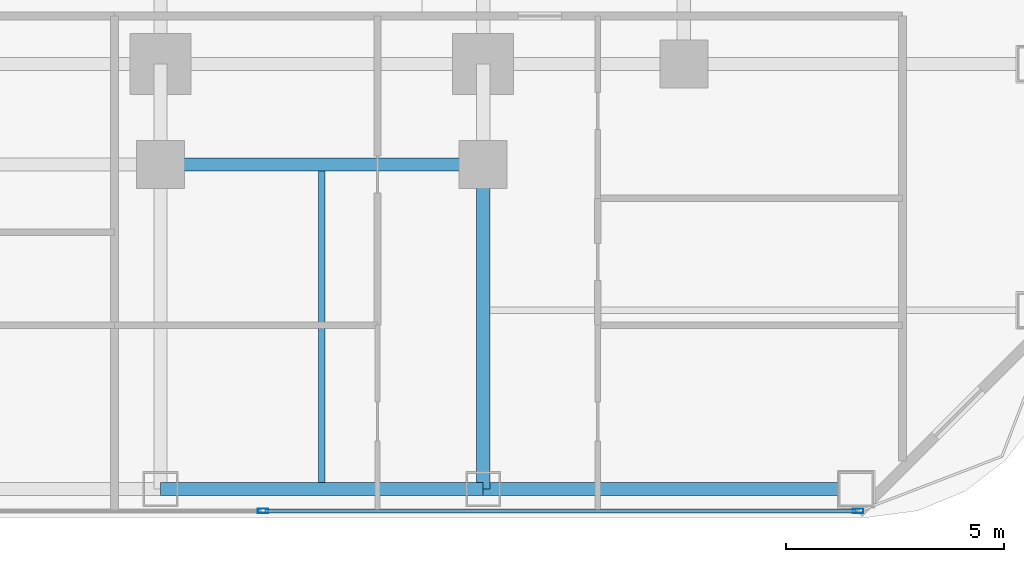
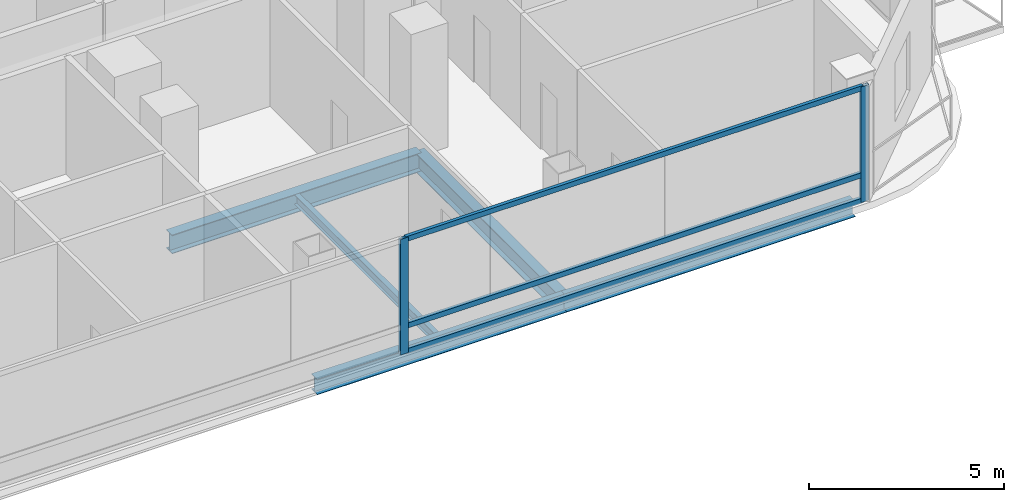
# One storey, part 8 of 27: 5 beams, 5 members, 1 element without a shape of its own.
"""IFC4 building model written with IfcOpenShell, lengths in metres."""

from ifc_helpers import new_model, si_unit, direction, frame, origin, origin_2d, place, context, subcontext, project, spatial, hollow_rectangle, i_section, extrude, material, layer, layer_set, material_profile, profile_set, type_object, element, aggregate, save


model = new_model("IFC4")

# Units and contexts
model_context = context("Model", 3, precision=1e-05, world=origin(), true_north=direction((0.0, 1.0)))
body_context = subcontext(model_context, "Body", "Model", "MODEL_VIEW")
ifc_project = project(units=[si_unit("LENGTHUNIT", "METRE"), si_unit("AREAUNIT", "SQUARE_METRE"), si_unit("VOLUMEUNIT", "CUBIC_METRE"), si_unit("PLANEANGLEUNIT", "RADIAN"), si_unit("MASSUNIT", "GRAM", prefix="KILO")], contexts=[model_context])

# Site, building, storey
site_placement = place(None, origin())
site = spatial("IfcSite", under=ifc_project, at=site_placement, CompositionType="ELEMENT")
building_placement = place(site_placement, origin())
building = spatial("IfcBuilding", under=site, at=building_placement, Name="Khorvyn Point Tower", CompositionType="ELEMENT")
storey_placement = place(building_placement, frame((0.0, 0.0, 50.10009765625)))
storey = spatial("IfcBuildingStorey", under=building, at=storey_placement, Name="L13", CompositionType="ELEMENT", Elevation=50.10009765625)

# Curtain wall, members
ifc_material_1 = material(Name="Anodised aluminium 6063-T6 and laminated Low-E glass", Category="aluminium")
ifc_layer = layer(ifc_material_1, 0.18994140625)
ifc_layer_set = layer_set([ifc_layer], Name="Stick-Built Finned Residential Curtain Wall CW-SYS-02")
curtain_wall_type = type_object("IfcCurtainWallType", Name="Stick-Built Finned Residential Curtain Wall CW-SYS-02", PredefinedType="NOTDEFINED", material=ifc_layer_set)
curtain_wall_placement = place(storey_placement, origin())
curtain_wall = element("IfcCurtainWall", 1, at=curtain_wall_placement, inside=storey, type_object=curtain_wall_type, Name="Curtain Wall", PredefinedType="NOTDEFINED")
ifc_material_2 = material(Name="Anodised aluminium 6063-T6", Category="aluminium")
ifc_material_profile_1 = material_profile(ifc_material_2, hollow_rectangle(XDim=0.10009765625, YDim=0.239990234375, WallThickness=0.0048828125, at=origin_2d()))
ifc_profile_set_1 = profile_set([ifc_material_profile_1], Name="Anodised aluminium 6063-T6 ALU-MUL-100x240")
member_type_1 = type_object("IfcMemberType", Name="Anodised Aluminium 6063-T6 Mullion ALU-MUL-100x240", PredefinedType="MULLION", material=ifc_profile_set_1)
member_1_placement = place(storey_placement, frame((23.39990234375, -25.050048828125, 0.0), z_axis=(0.0, 0.0, 1.0), x_axis=(0.0, -1.0, 0.0)))
member_1 = element("IfcMember", 2, at=member_1_placement, type_object=member_type_1, Name="Transom", PredefinedType="MULLION", context=body_context, shape_type="SweptSolid", body=[
    extrude(hollow_rectangle(XDim=0.10009765625, YDim=0.239990234375, WallThickness=0.0048828125, at=origin_2d()), origin(), (0.0, 0.0, 1.0), 3.619873046875),
])
member_2_placement = place(storey_placement, frame((9.75, -25.050048828125, 0.0), z_axis=(0.0, 0.0, 1.0), x_axis=(0.0, -1.0, 0.0)))
member_2 = element("IfcMember", 3, at=member_2_placement, type_object=member_type_1, Name="Transom", PredefinedType="MULLION", context=body_context, shape_type="SweptSolid", body=[
    extrude(hollow_rectangle(XDim=0.10009765625, YDim=0.239990234375, WallThickness=0.0048828125, at=origin_2d()), origin(), (0.0, 0.0, 1.0), 3.619873046875),
])
ifc_material_profile_2 = material_profile(ifc_material_2, hollow_rectangle(XDim=0.10009765625, YDim=0.159912109375, WallThickness=0.00439453125, at=origin_2d()))
ifc_profile_set_2 = profile_set([ifc_material_profile_2], Name="Anodised aluminium 6063-T6 ALU-TRN-100x160")
member_type_2 = type_object("IfcMemberType", Name="Anodised Aluminium 6063-T6 Transom ALU-TRN-100x160", PredefinedType="USERDEFINED", material=ifc_profile_set_2)
member_3_placement = place(storey_placement, frame((23.35009765625, -25.050048828125, 0.0498046875), z_axis=(-1.0, 0.0, 0.0), x_axis=(0.0, -1.0, 0.0)))
member_3 = element("IfcMember", 4, at=member_3_placement, type_object=member_type_2, Name="Transom", ObjectType="TRANSOM", PredefinedType="USERDEFINED", context=body_context, shape_type="SweptSolid", body=[
    extrude(hollow_rectangle(XDim=0.10009765625, YDim=0.159912109375, WallThickness=0.00439453125, at=origin_2d()), origin(), (0.0, 0.0, 1.0), 13.550048828125),
])
member_4_placement = place(storey_placement, frame((23.35009765625, -25.050048828125, 0.849853515625), z_axis=(-1.0, 0.0, 0.0), x_axis=(0.0, -1.0, 0.0)))
member_4 = element("IfcMember", 5, at=member_4_placement, type_object=member_type_2, Name="Transom", ObjectType="TRANSOM", PredefinedType="USERDEFINED", context=body_context, shape_type="SweptSolid", body=[
    extrude(hollow_rectangle(XDim=0.10009765625, YDim=0.159912109375, WallThickness=0.00439453125, at=origin_2d()), origin(), (0.0, 0.0, 1.0), 13.550048828125),
])
member_5_placement = place(storey_placement, frame((23.35009765625, -25.050048828125, 3.56982421875), z_axis=(-1.0, 0.0, 0.0), x_axis=(0.0, -1.0, 0.0)))
member_5 = element("IfcMember", 6, at=member_5_placement, type_object=member_type_2, Name="Transom", ObjectType="TRANSOM", PredefinedType="USERDEFINED", context=body_context, shape_type="SweptSolid", body=[
    extrude(hollow_rectangle(XDim=0.10009765625, YDim=0.159912109375, WallThickness=0.00439453125, at=origin_2d()), origin(), (0.0, 0.0, 1.0), 13.550048828125),
])
aggregate(curtain_wall, [member_1, member_2, member_3, member_4, member_5])

# Beams
ifc_material_3 = material(Name="Steel S355", Category="steel")
ifc_material_profile_3 = material_profile(ifc_material_3, i_section(OverallWidth=0.300048828125, OverallDepth=0.587890625, WebThickness=0.011962890625, FlangeThickness=0.02001953125, at=origin_2d()))
ifc_profile_set_3 = profile_set([ifc_material_profile_3], Name="Steel S355 H588x300x12x20")
beam_type_1 = type_object("IfcBeamType", Name="Steel S355 Beam H588x300x12x20", PredefinedType="BEAM", material=ifc_profile_set_3)
beam_1_placement = place(storey_placement, frame((7.39990234375, -17.10009765625, -0.51416015625), z_axis=(1.0, 0.0, 0.0), x_axis=(0.0, 1.0, 0.0)))
element("IfcBeam", 7, at=beam_1_placement, inside=storey, type_object=beam_type_1, Name="Beam", PredefinedType="BEAM", context=body_context, shape_type="SweptSolid", body=[
    extrude(i_section(OverallWidth=0.300048828125, OverallDepth=0.587890625, WebThickness=0.011962890625, FlangeThickness=0.02001953125, at=origin_2d()), origin(), (0.0, 0.0, 1.0), 7.400146484375),
])
beam_2_placement = place(storey_placement, frame((14.800048828125, -24.550048828125, -0.51416015625), z_axis=(0.0, 1.0, 0.0), x_axis=(-1.0, 0.0, 0.0)))
element("IfcBeam", 8, at=beam_2_placement, inside=storey, type_object=beam_type_1, Name="Beam", PredefinedType="BEAM", context=body_context, shape_type="SweptSolid", body=[
    extrude(i_section(OverallWidth=0.300048828125, OverallDepth=0.587890625, WebThickness=0.011962890625, FlangeThickness=0.02001953125, at=origin_2d()), origin(), (0.0, 0.0, 1.0), 7.449951171875),
])
ifc_material_profile_4 = material_profile(ifc_material_3, i_section(OverallWidth=0.14990234375, OverallDepth=0.300048828125, WebThickness=0.006591796875, FlangeThickness=0.009033203125, at=origin_2d()))
ifc_profile_set_4 = profile_set([ifc_material_profile_4], Name="Steel S355 H300x150x6.5x9")
beam_type_2 = type_object("IfcBeamType", Name="Steel S355 Joist H300x150x6.5x9", PredefinedType="JOIST", material=ifc_profile_set_4)
beam_3_placement = place(storey_placement, frame((11.10009765625, -24.39990234375, -0.3701171875), z_axis=(0.0, 1.0, 0.0), x_axis=(-1.0, 0.0, 0.0)))
element("IfcBeam", 9, at=beam_3_placement, inside=storey, type_object=beam_type_2, Name="Beam", PredefinedType="JOIST", context=body_context, shape_type="SweptSolid", body=[
    extrude(i_section(OverallWidth=0.14990234375, OverallDepth=0.300048828125, WebThickness=0.006591796875, FlangeThickness=0.009033203125, at=origin_2d()), origin(), (0.0, 0.0, 1.0), 7.14990234375),
])
ifc_material_profile_5 = material_profile(ifc_material_3, i_section(OverallWidth=0.300048828125, OverallDepth=0.488037109375, WebThickness=0.010986328125, FlangeThickness=0.01806640625, at=origin_2d()))
ifc_profile_set_5 = profile_set([ifc_material_profile_5], Name="Steel S355 H488x300x11x18")
beam_type_3 = type_object("IfcBeamType", Name="Steel S355 Spandrel H488x300x11x18", PredefinedType="SPANDREL", material=ifc_profile_set_5)
beam_4_placement = place(storey_placement, frame((7.39990234375, -24.550048828125, -0.464111328125), z_axis=(1.0, 0.0, 0.0), x_axis=(0.0, 1.0, 0.0)))
element("IfcBeam", 10, at=beam_4_placement, inside=storey, type_object=beam_type_3, Name="Beam", PredefinedType="SPANDREL", context=body_context, shape_type="SweptSolid", body=[
    extrude(i_section(OverallWidth=0.300048828125, OverallDepth=0.488037109375, WebThickness=0.010986328125, FlangeThickness=0.01806640625, at=origin_2d()), origin(), (0.0, 0.0, 1.0), 7.400146484375),
])
beam_5_placement = place(storey_placement, frame((14.800048828125, -24.550048828125, -0.464111328125), z_axis=(1.0, 0.0, 0.0), x_axis=(0.0, 1.0, 0.0)))
element("IfcBeam", 11, at=beam_5_placement, inside=storey, type_object=beam_type_3, Name="Beam", PredefinedType="SPANDREL", context=body_context, shape_type="SweptSolid", body=[
    extrude(i_section(OverallWidth=0.300048828125, OverallDepth=0.488037109375, WebThickness=0.010986328125, FlangeThickness=0.01806640625, at=origin_2d()), origin(), (0.0, 0.0, 1.0), 8.550048828125),
])

save(model, "model.ifc")
